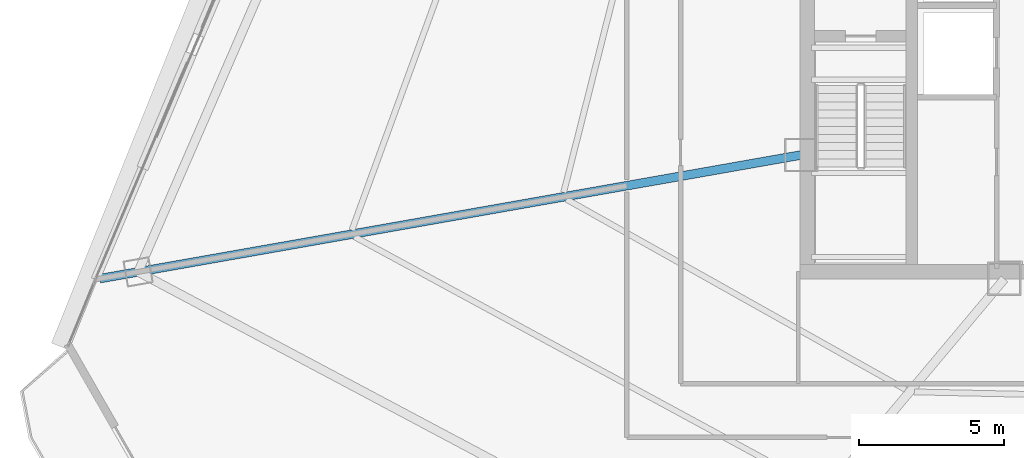
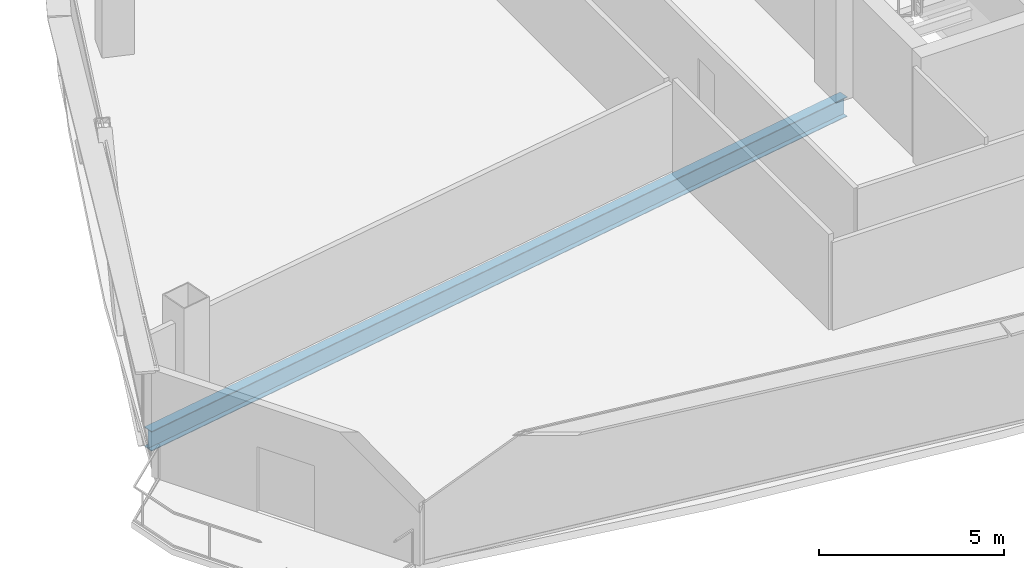
# One storey, part 5 of 36: 1 beam.
"""IFC4 building model written with IfcOpenShell, lengths in metres."""

from ifc_helpers import new_model, si_unit, direction, frame, origin, origin_2d, place, context, subcontext, project, spatial, i_section, extrude, source, transform, mapped, material, material_profile, profile_set, type_object, element, save


model = new_model("IFC4")

# Units and contexts
model_context = context("Model", 3, precision=1e-05, world=origin(), true_north=direction((0.0, 1.0)))
body_context = subcontext(model_context, "Body", "Model", "MODEL_VIEW")
ifc_project = project(units=[si_unit("LENGTHUNIT", "METRE"), si_unit("AREAUNIT", "SQUARE_METRE"), si_unit("VOLUMEUNIT", "CUBIC_METRE"), si_unit("PLANEANGLEUNIT", "RADIAN"), si_unit("MASSUNIT", "GRAM", prefix="KILO"), si_unit("THERMODYNAMICTEMPERATUREUNIT", "KELVIN"), si_unit("POWERUNIT", "WATT")], contexts=[model_context])

# Site, building, storey
site_placement = place(None, origin())
site = spatial("IfcSite", under=ifc_project, at=site_placement, CompositionType="ELEMENT")
building_placement = place(site_placement, origin())
building = spatial("IfcBuilding", under=site, at=building_placement, Name="Yunzhuo Pagoda Commons", CompositionType="ELEMENT")
storey_placement = place(building_placement, frame((0.0, 0.0, 211.360107421875)))
storey = spatial("IfcBuildingStorey", under=building, at=storey_placement, Name="L53", CompositionType="ELEMENT", Elevation=211.360107421875)

# Beam
ifc_material = material(Name="Structural steel Q355B", Category="steel")
ifc_material_profile = material_profile(ifc_material, i_section(OverallWidth=0.300048828125, OverallDepth=0.64990234375, WebThickness=0.012939453125, FlangeThickness=0.02197265625, at=origin_2d()), Name="Structural steel Q355B")
ifc_profile_set = profile_set([ifc_material_profile], Name="Structural steel Q355B")
beam_type = type_object("IfcBeamType", Name="B-RG2 Beam HN 650x300x13x22", PredefinedType="BEAM", material=ifc_profile_set)
shared_shape = source(origin(), body_context, "Body", "SweptSolid", [
    extrude(i_section(OverallWidth=0.300048828125, OverallDepth=0.64990234375, WebThickness=0.012939453125, FlangeThickness=0.02197265625, at=origin_2d()), origin(), (0.0, 0.0, 1.0), 24.494873046875),
])
beam_placement = place(storey_placement, frame((11.477294921875, 27.260009765625, -0.585205078125), z_axis=(0.984808332492, 0.173644891239, 0.0), x_axis=(-0.173644891239, 0.984808332492, 0.0)))
element("IfcBeam", 1, at=beam_placement, inside=storey, type_object=beam_type, Name="L53 radial floor girder F3C4", PredefinedType="BEAM", context=body_context, shape_type="MappedRepresentation", body=[
    mapped(shared_shape, transform((0.0, 0.0, 0.0), scale=1.0)),
])

save(model, "model.ifc")
